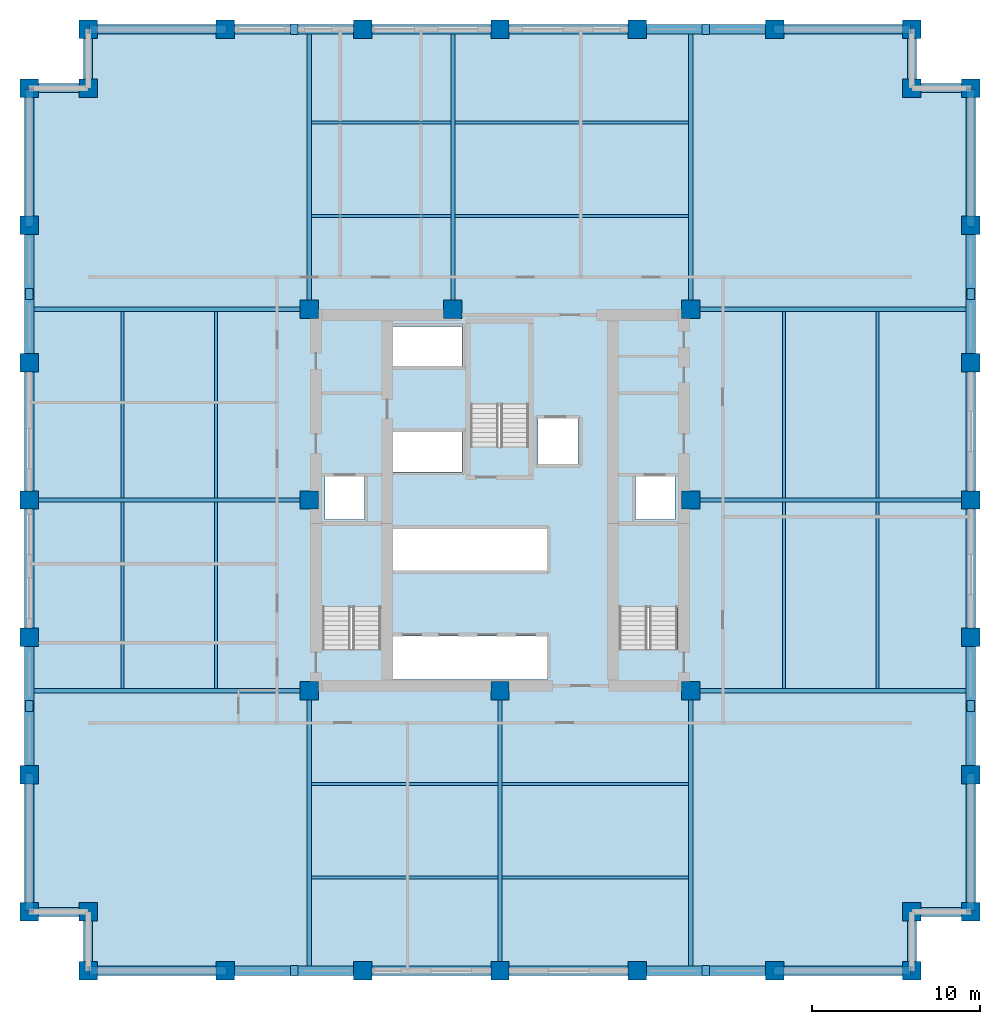
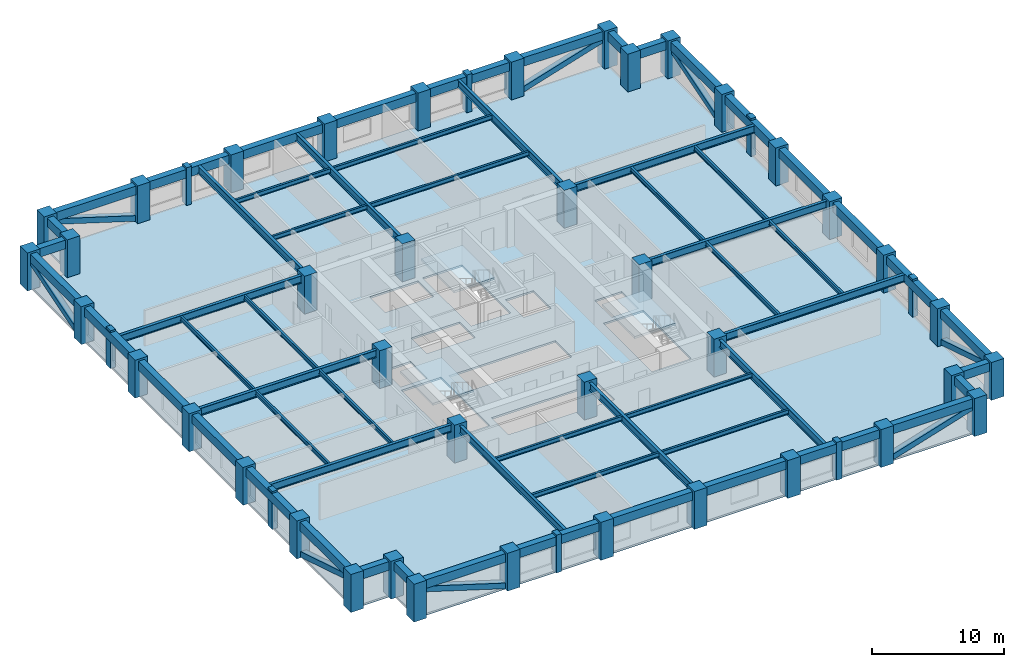
# One storey, part 1 of 6: 60 beams, 40 columns, 16 members, 4 slabs, 3 elements without a shape of their own.
"""IFC4 building model written with IfcOpenShell, lengths in metres."""

from ifc_helpers import new_model, si_unit, direction, frame, origin, origin_2d, place, context, subcontext, project, spatial, polyline, rectangle, hollow_rectangle, i_section, outline, extrude, material, layer, layer_set, material_profile, profile_set, type_object, element, aggregate, save


model = new_model("IFC4")

# Units and contexts
model_context = context("Model", 3, precision=1e-05, world=origin(), true_north=direction((0.0, 1.0)))
body_context = subcontext(model_context, "Body", "Model", "MODEL_VIEW")
ifc_project = project(units=[si_unit("LENGTHUNIT", "METRE"), si_unit("AREAUNIT", "SQUARE_METRE"), si_unit("VOLUMEUNIT", "CUBIC_METRE"), si_unit("PLANEANGLEUNIT", "RADIAN"), si_unit("MASSUNIT", "GRAM", prefix="KILO")], contexts=[model_context])

# Site, building, storey
site_placement = place(None, origin())
site = spatial("IfcSite", under=ifc_project, at=site_placement, CompositionType="ELEMENT")
building_placement = place(site_placement, origin())
building = spatial("IfcBuilding", under=site, at=building_placement, Name="Nhamokura Convention Tower", CompositionType="ELEMENT")
storey_placement = place(building_placement, frame((0.0, 0.0, 82.25)))
storey = spatial("IfcBuildingStorey", under=building, at=storey_placement, Name="L19", CompositionType="ELEMENT", Elevation=82.25)

# Columns
ifc_material_1 = material(Name="Concrete C60/75", Category="concrete")
ifc_material_profile_1 = material_profile(ifc_material_1, rectangle(XDim=1.10009765625, YDim=1.10009765625, at=origin_2d()))
ifc_profile_set_1 = profile_set([ifc_material_profile_1], Name="Concrete C60/75")
column_type = type_object("IfcColumnType", Name="TubeColumn_Z1_1100", PredefinedType="COLUMN", material=ifc_profile_set_1)
for number, where, z_axis, x_axis, name in (
    (1, (20.64990234375, 20.64990234375, 0.0), (0.0, 0.0, 1.0), (1.0, 0.0, 0.0), "L19 Core Column CC-SW"),
    (2, (32.0, 20.64990234375, 0.0), (0.0, 0.0, 1.0), (1.0, 0.0, 0.0), "L19 Core Column CC-S"),
    (3, (43.35009765625, 20.64990234375, 0.0), (0.0, 0.0, 1.0), (1.0, 0.0, 0.0), "L19 Core Column CC-SE"),
    (4, (43.35009765625, 32.0, 0.0), (0.0, 0.0, 1.0), (1.0, 0.0, 0.0), "L19 Core Column CC-E"),
    (5, (43.35009765625, 43.35009765625, 0.0), (0.0, 0.0, 1.0), (1.0, 0.0, 0.0), "L19 Core Column CC-NE"),
    (6, (29.199951171875, 43.35009765625, 0.0), (0.0, 0.0, 1.0), (1.0, 0.0, 0.0), "L19 Core Column CC-N"),
    (7, (20.64990234375, 43.35009765625, 0.0), (0.0, 0.0, 1.0), (1.0, 0.0, 0.0), "L19 Core Column CC-NW"),
    (8, (20.64990234375, 32.0, 0.0), (0.0, 0.0, 1.0), (1.0, 0.0, 0.0), "L19 Core Column CC-W"),
    (9, (7.5, 4.0, 0.0), (0.0, 0.0, 1.0), (1.0, 0.0, 0.0), "L19 Perimeter Tube Column SW1"),
    (10, (7.5, 7.5, 0.0), (0.0, 0.0, 1.0), (1.0, 0.0, 0.0), "L19 Perimeter Tube Column SW0"),
    (11, (4.0, 7.5, 0.0), (0.0, 0.0, 1.0), (1.0, 0.0, 0.0), "L19 Perimeter Tube Column SW2"),
    (12, (56.5, 4.0, 0.0), (0.0, 0.0, 1.0), (1.0, 0.0, 0.0), "L19 Perimeter Tube Column SE1"),
    (13, (56.5, 7.5, 0.0), (0.0, 0.0, 1.0), (1.0, 0.0, 0.0), "L19 Perimeter Tube Column SE0"),
    (14, (60.0, 7.5, 0.0), (0.0, 0.0, 1.0), (1.0, 0.0, 0.0), "L19 Perimeter Tube Column SE2"),
    (15, (60.0, 56.5, 0.0), (0.0, 0.0, 1.0), (1.0, 0.0, 0.0), "L19 Perimeter Tube Column NE1"),
    (16, (56.5, 56.5, 0.0), (0.0, 0.0, 1.0), (1.0, 0.0, 0.0), "L19 Perimeter Tube Column NE0"),
    (17, (56.5, 60.0, 0.0), (0.0, 0.0, 1.0), (1.0, 0.0, 0.0), "L19 Perimeter Tube Column NE2"),
    (18, (7.5, 60.0, 0.0), (0.0, 0.0, 1.0), (1.0, 0.0, 0.0), "L19 Perimeter Tube Column NW1"),
    (19, (7.5, 56.5, 0.0), (0.0, 0.0, 1.0), (1.0, 0.0, 0.0), "L19 Perimeter Tube Column NW0"),
    (20, (4.0, 56.5, 0.0), (0.0, 0.0, 1.0), (1.0, 0.0, 0.0), "L19 Perimeter Tube Column NW2"),
    (21, (15.666748046875, 4.0, 0.0), (0.0, 0.0, 1.0), (1.0, 0.0, 0.0), "L19 Perimeter Tube Column S1"),
    (22, (15.666748046875, 60.0, 0.0), (0.0, 0.0, 1.0), (1.0, 0.0, 0.0), "L19 Perimeter Tube Column N1"),
    (23, (4.0, 15.666748046875, 0.0), (0.0, 0.0, 1.0), (1.0, 0.0, 0.0), "L19 Perimeter Tube Column W1"),
    (24, (60.0, 15.666748046875, 0.0), (0.0, 0.0, 1.0), (1.0, 0.0, 0.0), "L19 Perimeter Tube Column E1"),
    (25, (23.833251953125, 4.0, 0.0), (0.0, 0.0, 1.0), (1.0, 0.0, 0.0), "L19 Perimeter Tube Column S2"),
    (26, (23.833251953125, 60.0, 0.0), (0.0, 0.0, 1.0), (1.0, 0.0, 0.0), "L19 Perimeter Tube Column N2"),
    (27, (4.0, 23.833251953125, 0.0), (0.0, 0.0, 1.0), (1.0, 0.0, 0.0), "L19 Perimeter Tube Column W2"),
    (28, (60.0, 23.833251953125, 0.0), (0.0, 0.0, 1.0), (1.0, 0.0, 0.0), "L19 Perimeter Tube Column E2"),
    (29, (32.0, 4.0, 0.0), (0.0, 0.0, 1.0), (1.0, 0.0, 0.0), "L19 Perimeter Tube Column S3"),
    (30, (32.0, 60.0, 0.0), (0.0, 0.0, 1.0), (1.0, 0.0, 0.0), "L19 Perimeter Tube Column N3"),
    (31, (4.0, 32.0, 0.0), (0.0, 0.0, 1.0), (1.0, 0.0, 0.0), "L19 Perimeter Tube Column W3"),
    (32, (60.0, 32.0, 0.0), (0.0, 0.0, 1.0), (1.0, 0.0, 0.0), "L19 Perimeter Tube Column E3"),
    (33, (40.166748046875, 4.0, 0.0), (0.0, 0.0, 1.0), (1.0, 0.0, 0.0), "L19 Perimeter Tube Column S4"),
    (34, (40.166748046875, 60.0, 0.0), (0.0, 0.0, 1.0), (1.0, 0.0, 0.0), "L19 Perimeter Tube Column N4"),
    (35, (4.0, 40.166748046875, 0.0), (0.0, 0.0, 1.0), (1.0, 0.0, 0.0), "L19 Perimeter Tube Column W4"),
    (36, (60.0, 40.166748046875, 0.0), (0.0, 0.0, 1.0), (1.0, 0.0, 0.0), "L19 Perimeter Tube Column E4"),
    (37, (48.333251953125, 4.0, 0.0), (0.0, 0.0, 1.0), (1.0, 0.0, 0.0), "L19 Perimeter Tube Column S5"),
    (38, (48.333251953125, 60.0, 0.0), (0.0, 0.0, 1.0), (1.0, 0.0, 0.0), "L19 Perimeter Tube Column N5"),
    (39, (4.0, 48.333251953125, 0.0), (0.0, 0.0, 1.0), (1.0, 0.0, 0.0), "L19 Perimeter Tube Column W5"),
    (40, (60.0, 48.333251953125, 0.0), (0.0, 0.0, 1.0), (1.0, 0.0, 0.0), "L19 Perimeter Tube Column E5"),
):
    element("IfcColumn", number, at=place(storey_placement, frame(where, z_axis=z_axis, x_axis=x_axis)), inside=storey, type_object=column_type, Name=name, PredefinedType="COLUMN", context=body_context, shape_type="SweptSolid", body=[
        extrude(rectangle(XDim=1.10009765625, YDim=1.10009765625, at=origin_2d()), origin(), (0.0, 0.0, 1.0), 3.5),
    ])

# Members
ifc_material_2 = material(Name="Bronze-pigmented precast concrete C45/55", Category="concrete")
ifc_material_profile_2 = material_profile(ifc_material_2, rectangle(XDim=0.449951171875, YDim=0.64990234375, at=origin_2d()))
ifc_profile_set_2 = profile_set([ifc_material_profile_2], Name="Bronze-pigmented precast concrete C45/55")
member_type_1 = type_object("IfcMemberType", Name="BronzePilaster_650", PredefinedType="USERDEFINED", material=ifc_profile_set_2)
for number, where, z_axis, x_axis, name in (
    (41, (19.75, 4.0, 0.0), (0.0, 0.0, 1.0), (1.0, 0.0, 0.0), "L19 Engaged Frame Pilaster SOUTH 1"),
    (42, (44.25, 4.0, 0.0), (0.0, 0.0, 1.0), (1.0, 0.0, 0.0), "L19 Engaged Frame Pilaster SOUTH 4"),
    (43, (19.75, 60.0, 0.0), (0.0, 0.0, 1.0), (1.0, 0.0, 0.0), "L19 Engaged Frame Pilaster NORTH 1"),
    (44, (44.25, 60.0, 0.0), (0.0, 0.0, 1.0), (1.0, 0.0, 0.0), "L19 Engaged Frame Pilaster NORTH 4"),
    (45, (4.0, 19.75, 0.0), (0.0, 0.0, 1.0), (1.0, 0.0, 0.0), "L19 Engaged Frame Pilaster WEST 1"),
    (46, (4.0, 44.25, 0.0), (0.0, 0.0, 1.0), (1.0, 0.0, 0.0), "L19 Engaged Frame Pilaster WEST 4"),
    (47, (60.0, 19.75, 0.0), (0.0, 0.0, 1.0), (1.0, 0.0, 0.0), "L19 Engaged Frame Pilaster EAST 1"),
    (48, (60.0, 44.25, 0.0), (0.0, 0.0, 1.0), (1.0, 0.0, 0.0), "L19 Engaged Frame Pilaster EAST 4"),
):
    element("IfcMember", number, at=place(storey_placement, frame(where, z_axis=z_axis, x_axis=x_axis)), inside=storey, type_object=member_type_1, Name=name, ObjectType="PILASTER_TRIM", PredefinedType="USERDEFINED", context=body_context, shape_type="SweptSolid", body=[
        extrude(rectangle(XDim=0.449951171875, YDim=0.64990234375, at=origin_2d()), origin(), (0.0, 0.0, 1.0), 3.5),
    ])

# Beams
ifc_material_3 = material(Name="Steel ASTM A992 Gr 50", Category="steel")
ifc_material_profile_3 = material_profile(ifc_material_3, i_section(OverallWidth=0.178955078125, OverallDepth=0.409912109375, WebThickness=0.0087890625, FlangeThickness=0.014404296875, at=origin_2d()))
ifc_profile_set_3 = profile_set([ifc_material_profile_3], Name="Steel ASTM A992 Gr 50")
beam_type_1 = type_object("IfcBeamType", Name="FloorJoist_W410X67", PredefinedType="JOIST", material=ifc_profile_set_3)
for number, where, z_axis, x_axis, name in (
    (49, (20.77587890625, 9.550048828125, 3.114990234375), (1.0, 0.0, 0.0), (0.0, 1.0, 0.0), "L19 Composite Floor Joist S1A"),
    (50, (32.1259765625, 9.550048828125, 3.114990234375), (1.0, 0.0, 0.0), (0.0, 1.0, 0.0), "L19 Composite Floor Joist S1B"),
    (51, (20.77587890625, 15.10009765625, 3.114990234375), (1.0, 0.0, 0.0), (0.0, 1.0, 0.0), "L19 Composite Floor Joist S2A"),
    (52, (32.1259765625, 15.10009765625, 3.114990234375), (1.0, 0.0, 0.0), (0.0, 1.0, 0.0), "L19 Composite Floor Joist S2B"),
):
    element("IfcBeam", number, at=place(storey_placement, frame(where, z_axis=z_axis, x_axis=x_axis)), inside=storey, type_object=beam_type_1, Name=name, PredefinedType="JOIST", context=body_context, shape_type="SweptSolid", body=[
        extrude(i_section(OverallWidth=0.178955078125, OverallDepth=0.409912109375, WebThickness=0.0087890625, FlangeThickness=0.014404296875, at=origin_2d()), origin(), (0.0, 0.0, 1.0), 11.09814453125),
    ])
beam_1_placement = place(storey_placement, frame((20.77587890625, 48.89990234375, 3.114990234375), z_axis=(1.0, 0.0, 0.0), x_axis=(0.0, 1.0, 0.0)))
element("IfcBeam", 53, at=beam_1_placement, inside=storey, type_object=beam_type_1, Name="L19 Composite Floor Joist N1A", PredefinedType="JOIST", context=body_context, shape_type="SweptSolid", body=[
    extrude(i_section(OverallWidth=0.178955078125, OverallDepth=0.409912109375, WebThickness=0.0087890625, FlangeThickness=0.014404296875, at=origin_2d()), origin(), (0.0, 0.0, 1.0), 8.298095703125),
])
beam_2_placement = place(storey_placement, frame((29.325927734375, 48.89990234375, 3.114990234375), z_axis=(1.0, 0.0, 0.0), x_axis=(0.0, 1.0, 0.0)))
element("IfcBeam", 54, at=beam_2_placement, inside=storey, type_object=beam_type_1, Name="L19 Composite Floor Joist N1B", PredefinedType="JOIST", context=body_context, shape_type="SweptSolid", body=[
    extrude(i_section(OverallWidth=0.178955078125, OverallDepth=0.409912109375, WebThickness=0.0087890625, FlangeThickness=0.014404296875, at=origin_2d()), origin(), (0.0, 0.0, 1.0), 13.898193359375),
])
beam_3_placement = place(storey_placement, frame((20.77587890625, 54.449951171875, 3.114990234375), z_axis=(1.0, 0.0, 0.0), x_axis=(0.0, 1.0, 0.0)))
element("IfcBeam", 55, at=beam_3_placement, inside=storey, type_object=beam_type_1, Name="L19 Composite Floor Joist N2A", PredefinedType="JOIST", context=body_context, shape_type="SweptSolid", body=[
    extrude(i_section(OverallWidth=0.178955078125, OverallDepth=0.409912109375, WebThickness=0.0087890625, FlangeThickness=0.014404296875, at=origin_2d()), origin(), (0.0, 0.0, 1.0), 8.298095703125),
])
beam_4_placement = place(storey_placement, frame((29.325927734375, 54.449951171875, 3.114990234375), z_axis=(1.0, 0.0, 0.0), x_axis=(0.0, 1.0, 0.0)))
element("IfcBeam", 56, at=beam_4_placement, inside=storey, type_object=beam_type_1, Name="L19 Composite Floor Joist N2B", PredefinedType="JOIST", context=body_context, shape_type="SweptSolid", body=[
    extrude(i_section(OverallWidth=0.178955078125, OverallDepth=0.409912109375, WebThickness=0.0087890625, FlangeThickness=0.014404296875, at=origin_2d()), origin(), (0.0, 0.0, 1.0), 13.898193359375),
])
for number, where, z_axis, x_axis, name in (
    (57, (9.550048828125, 20.77587890625, 3.114990234375), (0.0, 1.0, 0.0), (-1.0, 0.0, 0.0), "L19 Composite Floor Joist W1A"),
    (58, (9.550048828125, 32.1259765625, 3.114990234375), (0.0, 1.0, 0.0), (-1.0, 0.0, 0.0), "L19 Composite Floor Joist W1B"),
    (59, (15.10009765625, 20.77587890625, 3.114990234375), (0.0, 1.0, 0.0), (-1.0, 0.0, 0.0), "L19 Composite Floor Joist W2A"),
    (60, (15.10009765625, 32.1259765625, 3.114990234375), (0.0, 1.0, 0.0), (-1.0, 0.0, 0.0), "L19 Composite Floor Joist W2B"),
    (61, (48.89990234375, 20.77587890625, 3.114990234375), (0.0, 1.0, 0.0), (-1.0, 0.0, 0.0), "L19 Composite Floor Joist E1A"),
    (62, (48.89990234375, 32.1259765625, 3.114990234375), (0.0, 1.0, 0.0), (-1.0, 0.0, 0.0), "L19 Composite Floor Joist E1B"),
    (63, (54.449951171875, 20.77587890625, 3.114990234375), (0.0, 1.0, 0.0), (-1.0, 0.0, 0.0), "L19 Composite Floor Joist E2A"),
    (64, (54.449951171875, 32.1259765625, 3.114990234375), (0.0, 1.0, 0.0), (-1.0, 0.0, 0.0), "L19 Composite Floor Joist E2B"),
):
    element("IfcBeam", number, at=place(storey_placement, frame(where, z_axis=z_axis, x_axis=x_axis)), inside=storey, type_object=beam_type_1, Name=name, PredefinedType="JOIST", context=body_context, shape_type="SweptSolid", body=[
        extrude(i_section(OverallWidth=0.178955078125, OverallDepth=0.409912109375, WebThickness=0.0087890625, FlangeThickness=0.014404296875, at=origin_2d()), origin(), (0.0, 0.0, 1.0), 11.09814453125),
    ])
ifc_material_4 = material(Name="Steel ASTM A992 Gr 50", Category="steel")
ifc_material_profile_4 = material_profile(ifc_material_4, i_section(OverallWidth=0.256103515625, OverallDepth=0.693115234375, WebThickness=0.014404296875, FlangeThickness=0.023681640625, at=origin_2d()))
ifc_profile_set_4 = profile_set([ifc_material_profile_4], Name="Steel ASTM A992 Gr 50")
beam_type_2 = type_object("IfcBeamType", Name="PrimaryGirder_W690X170", PredefinedType="BEAM", material=ifc_profile_set_4)
for number, where, z_axis, x_axis, name in (
    (65, (20.64990234375, 4.0, 2.973388671875), (0.0, 1.0, 0.0), (-1.0, 0.0, 0.0), "L19 Primary Floor Girder PG-S1"),
    (66, (32.0, 4.0, 2.973388671875), (0.0, 1.0, 0.0), (-1.0, 0.0, 0.0), "L19 Primary Floor Girder PG-S2"),
    (67, (43.35009765625, 4.0, 2.973388671875), (0.0, 1.0, 0.0), (-1.0, 0.0, 0.0), "L19 Primary Floor Girder PG-S3"),
    (68, (20.64990234375, 43.35009765625, 2.973388671875), (0.0, 1.0, 0.0), (-1.0, 0.0, 0.0), "L19 Primary Floor Girder PG-N1"),
    (69, (29.199951171875, 43.35009765625, 2.973388671875), (0.0, 1.0, 0.0), (-1.0, 0.0, 0.0), "L19 Primary Floor Girder PG-N2"),
    (70, (43.35009765625, 43.35009765625, 2.973388671875), (0.0, 1.0, 0.0), (-1.0, 0.0, 0.0), "L19 Primary Floor Girder PG-N3"),
    (71, (4.0, 20.64990234375, 2.973388671875), (1.0, 0.0, 0.0), (0.0, 1.0, 0.0), "L19 Primary Floor Girder PG-W1"),
    (72, (4.0, 32.0, 2.973388671875), (1.0, 0.0, 0.0), (0.0, 1.0, 0.0), "L19 Primary Floor Girder PG-W2"),
    (73, (4.0, 43.35009765625, 2.973388671875), (1.0, 0.0, 0.0), (0.0, 1.0, 0.0), "L19 Primary Floor Girder PG-W3"),
    (74, (43.35009765625, 20.64990234375, 2.973388671875), (1.0, 0.0, 0.0), (0.0, 1.0, 0.0), "L19 Primary Floor Girder PG-E1"),
    (75, (43.35009765625, 32.0, 2.973388671875), (1.0, 0.0, 0.0), (0.0, 1.0, 0.0), "L19 Primary Floor Girder PG-E2"),
    (76, (43.35009765625, 43.35009765625, 2.973388671875), (1.0, 0.0, 0.0), (0.0, 1.0, 0.0), "L19 Primary Floor Girder PG-E3"),
):
    element("IfcBeam", number, at=place(storey_placement, frame(where, z_axis=z_axis, x_axis=x_axis)), inside=storey, type_object=beam_type_2, Name=name, PredefinedType="BEAM", context=body_context, shape_type="SweptSolid", body=[
        extrude(i_section(OverallWidth=0.256103515625, OverallDepth=0.693115234375, WebThickness=0.014404296875, FlangeThickness=0.023681640625, at=origin_2d()), origin(), (0.0, 0.0, 1.0), 16.64990234375),
    ])

# Members
ifc_material_5 = material(Name="Steel ASTM A572 Gr 50", Category="steel")
ifc_material_profile_5 = material_profile(ifc_material_5, hollow_rectangle(XDim=0.5, YDim=0.5, WallThickness=0.02490234375, at=origin_2d()))
ifc_profile_set_5 = profile_set([ifc_material_profile_5], Name="Steel ASTM A572 Gr 50")
member_type_2 = type_object("IfcMemberType", Name="TubeBrace_HSS500", PredefinedType="BRACE", material=ifc_profile_set_5)
for number, where, z_axis, x_axis, name in (
    (77, (15.666748046875, 4.0, 0.14990234375), (-0.955542765986, 0.0, 0.294852543437), (0.0, -1.0, 0.0), "L19 Perimeter Tube Brace SOUTH Bay 0"),
    (78, (48.333251953125, 4.0, 0.14990234375), (0.955542765986, 0.0, 0.294852543437), (0.0, 1.0, 0.0), "L19 Perimeter Tube Brace SOUTH Bay 5"),
    (79, (15.666748046875, 60.0, 0.14990234375), (-0.955542765986, 0.0, 0.294852543437), (0.0, -1.0, 0.0), "L19 Perimeter Tube Brace NORTH Bay 0"),
    (80, (48.333251953125, 60.0, 0.14990234375), (0.955542765986, 0.0, 0.294852543437), (0.0, 1.0, 0.0), "L19 Perimeter Tube Brace NORTH Bay 5"),
    (81, (4.0, 15.666748046875, 0.14990234375), (0.0, -0.955542765986, 0.294852543437), (1.0, 0.0, 0.0), "L19 Perimeter Tube Brace WEST Bay 0"),
    (82, (4.0, 48.333251953125, 0.14990234375), (0.0, 0.955542765986, 0.294852543437), (-1.0, 0.0, 0.0), "L19 Perimeter Tube Brace WEST Bay 5"),
    (83, (60.0, 15.666748046875, 0.14990234375), (0.0, -0.955542765986, 0.294852543437), (1.0, 0.0, 0.0), "L19 Perimeter Tube Brace EAST Bay 0"),
    (84, (60.0, 48.333251953125, 0.14990234375), (0.0, 0.955542765986, 0.294852543437), (-1.0, 0.0, 0.0), "L19 Perimeter Tube Brace EAST Bay 5"),
):
    element("IfcMember", number, at=place(storey_placement, frame(where, z_axis=z_axis, x_axis=x_axis)), inside=storey, type_object=member_type_2, Name=name, PredefinedType="BRACE", context=body_context, shape_type="SweptSolid", body=[
        extrude(hollow_rectangle(XDim=0.5, YDim=0.5, WallThickness=0.02490234375, at=origin_2d()), origin(), (0.0, 0.0, 1.0), 8.546630859375),
    ])

# Beams
ifc_material_6 = material(Name="Concrete C50/60", Category="concrete")
ifc_material_profile_6 = material_profile(ifc_material_6, rectangle(XDim=0.550048828125, YDim=0.800048828125, at=origin_2d()))
ifc_profile_set_6 = profile_set([ifc_material_profile_6], Name="Concrete C50/60")
beam_type_3 = type_object("IfcBeamType", Name="TubeSpandrel_800", PredefinedType="SPANDREL", material=ifc_profile_set_6)
beam_5_placement = place(storey_placement, frame((7.5, 4.0, 2.919921875), z_axis=(1.0, 0.0, 0.0), x_axis=(0.0, 1.0, 0.0)))
element("IfcBeam", 85, at=beam_5_placement, inside=storey, type_object=beam_type_3, Name="L19 Perimeter Spandrel SOUTH 1", PredefinedType="SPANDREL", context=body_context, shape_type="SweptSolid", body=[
    extrude(rectangle(XDim=0.550048828125, YDim=0.800048828125, at=origin_2d()), origin(), (0.0, 0.0, 1.0), 8.166748046875),
])
beam_6_placement = place(storey_placement, frame((15.666748046875, 4.0, 2.919921875), z_axis=(1.0, 0.0, 0.0), x_axis=(0.0, 1.0, 0.0)))
element("IfcBeam", 86, at=beam_6_placement, inside=storey, type_object=beam_type_3, Name="L19 Perimeter Spandrel SOUTH 2", PredefinedType="SPANDREL", context=body_context, shape_type="SweptSolid", body=[
    extrude(rectangle(XDim=0.550048828125, YDim=0.800048828125, at=origin_2d()), origin(), (0.0, 0.0, 1.0), 8.16650390625),
])
for number, where, z_axis, x_axis, name in (
    (87, (23.833251953125, 4.0, 2.919921875), (1.0, 0.0, 0.0), (0.0, 1.0, 0.0), "L19 Perimeter Spandrel SOUTH 3"),
    (88, (32.0, 4.0, 2.919921875), (1.0, 0.0, 0.0), (0.0, 1.0, 0.0), "L19 Perimeter Spandrel SOUTH 4"),
):
    element("IfcBeam", number, at=place(storey_placement, frame(where, z_axis=z_axis, x_axis=x_axis)), inside=storey, type_object=beam_type_3, Name=name, PredefinedType="SPANDREL", context=body_context, shape_type="SweptSolid", body=[
        extrude(rectangle(XDim=0.550048828125, YDim=0.800048828125, at=origin_2d()), origin(), (0.0, 0.0, 1.0), 8.166748046875),
    ])
beam_7_placement = place(storey_placement, frame((40.166748046875, 4.0, 2.919921875), z_axis=(1.0, 0.0, 0.0), x_axis=(0.0, 1.0, 0.0)))
element("IfcBeam", 89, at=beam_7_placement, inside=storey, type_object=beam_type_3, Name="L19 Perimeter Spandrel SOUTH 5", PredefinedType="SPANDREL", context=body_context, shape_type="SweptSolid", body=[
    extrude(rectangle(XDim=0.550048828125, YDim=0.800048828125, at=origin_2d()), origin(), (0.0, 0.0, 1.0), 8.16650390625),
])
for number, where, z_axis, x_axis, name in (
    (90, (48.333251953125, 4.0, 2.919921875), (1.0, 0.0, 0.0), (0.0, 1.0, 0.0), "L19 Perimeter Spandrel SOUTH 6"),
    (91, (7.5, 60.0, 2.919921875), (1.0, 0.0, 0.0), (0.0, 1.0, 0.0), "L19 Perimeter Spandrel NORTH 1"),
):
    element("IfcBeam", number, at=place(storey_placement, frame(where, z_axis=z_axis, x_axis=x_axis)), inside=storey, type_object=beam_type_3, Name=name, PredefinedType="SPANDREL", context=body_context, shape_type="SweptSolid", body=[
        extrude(rectangle(XDim=0.550048828125, YDim=0.800048828125, at=origin_2d()), origin(), (0.0, 0.0, 1.0), 8.166748046875),
    ])
beam_8_placement = place(storey_placement, frame((15.666748046875, 60.0, 2.919921875), z_axis=(1.0, 0.0, 0.0), x_axis=(0.0, 1.0, 0.0)))
element("IfcBeam", 92, at=beam_8_placement, inside=storey, type_object=beam_type_3, Name="L19 Perimeter Spandrel NORTH 2", PredefinedType="SPANDREL", context=body_context, shape_type="SweptSolid", body=[
    extrude(rectangle(XDim=0.550048828125, YDim=0.800048828125, at=origin_2d()), origin(), (0.0, 0.0, 1.0), 8.16650390625),
])
for number, where, z_axis, x_axis, name in (
    (93, (23.833251953125, 60.0, 2.919921875), (1.0, 0.0, 0.0), (0.0, 1.0, 0.0), "L19 Perimeter Spandrel NORTH 3"),
    (94, (32.0, 60.0, 2.919921875), (1.0, 0.0, 0.0), (0.0, 1.0, 0.0), "L19 Perimeter Spandrel NORTH 4"),
):
    element("IfcBeam", number, at=place(storey_placement, frame(where, z_axis=z_axis, x_axis=x_axis)), inside=storey, type_object=beam_type_3, Name=name, PredefinedType="SPANDREL", context=body_context, shape_type="SweptSolid", body=[
        extrude(rectangle(XDim=0.550048828125, YDim=0.800048828125, at=origin_2d()), origin(), (0.0, 0.0, 1.0), 8.166748046875),
    ])
beam_9_placement = place(storey_placement, frame((40.166748046875, 60.0, 2.919921875), z_axis=(1.0, 0.0, 0.0), x_axis=(0.0, 1.0, 0.0)))
element("IfcBeam", 95, at=beam_9_placement, inside=storey, type_object=beam_type_3, Name="L19 Perimeter Spandrel NORTH 5", PredefinedType="SPANDREL", context=body_context, shape_type="SweptSolid", body=[
    extrude(rectangle(XDim=0.550048828125, YDim=0.800048828125, at=origin_2d()), origin(), (0.0, 0.0, 1.0), 8.16650390625),
])
for number, where, z_axis, x_axis, name in (
    (96, (48.333251953125, 60.0, 2.919921875), (1.0, 0.0, 0.0), (0.0, 1.0, 0.0), "L19 Perimeter Spandrel NORTH 6"),
    (97, (4.0, 7.5, 2.919921875), (0.0, 1.0, 0.0), (-1.0, 0.0, 0.0), "L19 Perimeter Spandrel WEST 1"),
):
    element("IfcBeam", number, at=place(storey_placement, frame(where, z_axis=z_axis, x_axis=x_axis)), inside=storey, type_object=beam_type_3, Name=name, PredefinedType="SPANDREL", context=body_context, shape_type="SweptSolid", body=[
        extrude(rectangle(XDim=0.550048828125, YDim=0.800048828125, at=origin_2d()), origin(), (0.0, 0.0, 1.0), 8.166748046875),
    ])
beam_10_placement = place(storey_placement, frame((4.0, 15.666748046875, 2.919921875), z_axis=(0.0, 1.0, 0.0), x_axis=(-1.0, 0.0, 0.0)))
element("IfcBeam", 98, at=beam_10_placement, inside=storey, type_object=beam_type_3, Name="L19 Perimeter Spandrel WEST 2", PredefinedType="SPANDREL", context=body_context, shape_type="SweptSolid", body=[
    extrude(rectangle(XDim=0.550048828125, YDim=0.800048828125, at=origin_2d()), origin(), (0.0, 0.0, 1.0), 8.16650390625),
])
for number, where, z_axis, x_axis, name in (
    (99, (4.0, 23.833251953125, 2.919921875), (0.0, 1.0, 0.0), (-1.0, 0.0, 0.0), "L19 Perimeter Spandrel WEST 3"),
    (100, (4.0, 32.0, 2.919921875), (0.0, 1.0, 0.0), (-1.0, 0.0, 0.0), "L19 Perimeter Spandrel WEST 4"),
):
    element("IfcBeam", number, at=place(storey_placement, frame(where, z_axis=z_axis, x_axis=x_axis)), inside=storey, type_object=beam_type_3, Name=name, PredefinedType="SPANDREL", context=body_context, shape_type="SweptSolid", body=[
        extrude(rectangle(XDim=0.550048828125, YDim=0.800048828125, at=origin_2d()), origin(), (0.0, 0.0, 1.0), 8.166748046875),
    ])
beam_11_placement = place(storey_placement, frame((4.0, 40.166748046875, 2.919921875), z_axis=(0.0, 1.0, 0.0), x_axis=(-1.0, 0.0, 0.0)))
element("IfcBeam", 101, at=beam_11_placement, inside=storey, type_object=beam_type_3, Name="L19 Perimeter Spandrel WEST 5", PredefinedType="SPANDREL", context=body_context, shape_type="SweptSolid", body=[
    extrude(rectangle(XDim=0.550048828125, YDim=0.800048828125, at=origin_2d()), origin(), (0.0, 0.0, 1.0), 8.16650390625),
])
for number, where, z_axis, x_axis, name in (
    (102, (4.0, 48.333251953125, 2.919921875), (0.0, 1.0, 0.0), (-1.0, 0.0, 0.0), "L19 Perimeter Spandrel WEST 6"),
    (103, (60.0, 7.5, 2.919921875), (0.0, 1.0, 0.0), (-1.0, 0.0, 0.0), "L19 Perimeter Spandrel EAST 1"),
):
    element("IfcBeam", number, at=place(storey_placement, frame(where, z_axis=z_axis, x_axis=x_axis)), inside=storey, type_object=beam_type_3, Name=name, PredefinedType="SPANDREL", context=body_context, shape_type="SweptSolid", body=[
        extrude(rectangle(XDim=0.550048828125, YDim=0.800048828125, at=origin_2d()), origin(), (0.0, 0.0, 1.0), 8.166748046875),
    ])
beam_12_placement = place(storey_placement, frame((60.0, 15.666748046875, 2.919921875), z_axis=(0.0, 1.0, 0.0), x_axis=(-1.0, 0.0, 0.0)))
element("IfcBeam", 104, at=beam_12_placement, inside=storey, type_object=beam_type_3, Name="L19 Perimeter Spandrel EAST 2", PredefinedType="SPANDREL", context=body_context, shape_type="SweptSolid", body=[
    extrude(rectangle(XDim=0.550048828125, YDim=0.800048828125, at=origin_2d()), origin(), (0.0, 0.0, 1.0), 8.16650390625),
])
for number, where, z_axis, x_axis, name in (
    (105, (60.0, 23.833251953125, 2.919921875), (0.0, 1.0, 0.0), (-1.0, 0.0, 0.0), "L19 Perimeter Spandrel EAST 3"),
    (106, (60.0, 32.0, 2.919921875), (0.0, 1.0, 0.0), (-1.0, 0.0, 0.0), "L19 Perimeter Spandrel EAST 4"),
):
    element("IfcBeam", number, at=place(storey_placement, frame(where, z_axis=z_axis, x_axis=x_axis)), inside=storey, type_object=beam_type_3, Name=name, PredefinedType="SPANDREL", context=body_context, shape_type="SweptSolid", body=[
        extrude(rectangle(XDim=0.550048828125, YDim=0.800048828125, at=origin_2d()), origin(), (0.0, 0.0, 1.0), 8.166748046875),
    ])
beam_13_placement = place(storey_placement, frame((60.0, 40.166748046875, 2.919921875), z_axis=(0.0, 1.0, 0.0), x_axis=(-1.0, 0.0, 0.0)))
element("IfcBeam", 107, at=beam_13_placement, inside=storey, type_object=beam_type_3, Name="L19 Perimeter Spandrel EAST 5", PredefinedType="SPANDREL", context=body_context, shape_type="SweptSolid", body=[
    extrude(rectangle(XDim=0.550048828125, YDim=0.800048828125, at=origin_2d()), origin(), (0.0, 0.0, 1.0), 8.16650390625),
])
beam_14_placement = place(storey_placement, frame((60.0, 48.333251953125, 2.919921875), z_axis=(0.0, 1.0, 0.0), x_axis=(-1.0, 0.0, 0.0)))
element("IfcBeam", 108, at=beam_14_placement, inside=storey, type_object=beam_type_3, Name="L19 Perimeter Spandrel EAST 6", PredefinedType="SPANDREL", context=body_context, shape_type="SweptSolid", body=[
    extrude(rectangle(XDim=0.550048828125, YDim=0.800048828125, at=origin_2d()), origin(), (0.0, 0.0, 1.0), 8.166748046875),
])
for number, where, z_axis, x_axis, name in (
    (109, (7.5, 4.0, 2.919921875), (0.0, 1.0, 0.0), (-1.0, 0.0, 0.0), "L19 Notch Spandrel SW1"),
    (110, (7.5, 7.5, 2.919921875), (-1.0, 0.0, 0.0), (0.0, -1.0, 0.0), "L19 Notch Spandrel SW2"),
    (111, (56.5, 4.0, 2.919921875), (0.0, 1.0, 0.0), (-1.0, 0.0, 0.0), "L19 Notch Spandrel SE1"),
    (112, (56.5, 7.5, 2.919921875), (1.0, 0.0, 0.0), (0.0, 1.0, 0.0), "L19 Notch Spandrel SE2"),
    (113, (60.0, 56.5, 2.919921875), (-1.0, 0.0, 0.0), (0.0, -1.0, 0.0), "L19 Notch Spandrel NE1"),
    (114, (56.5, 56.5, 2.919921875), (0.0, 1.0, 0.0), (-1.0, 0.0, 0.0), "L19 Notch Spandrel NE2"),
    (115, (7.5, 60.0, 2.919921875), (0.0, -1.0, 0.0), (1.0, 0.0, 0.0), "L19 Notch Spandrel NW1"),
    (116, (7.5, 56.5, 2.919921875), (-1.0, 0.0, 0.0), (0.0, -1.0, 0.0), "L19 Notch Spandrel NW2"),
):
    element("IfcBeam", number, at=place(storey_placement, frame(where, z_axis=z_axis, x_axis=x_axis)), inside=storey, type_object=beam_type_3, Name=name, PredefinedType="SPANDREL", context=body_context, shape_type="SweptSolid", body=[
        extrude(rectangle(XDim=0.550048828125, YDim=0.800048828125, at=origin_2d()), origin(), (0.0, 0.0, 1.0), 3.5),
    ])

# Slab
ifc_material_7 = material(Name="Concrete C40/50", Category="concrete")
ifc_layer_1 = layer(ifc_material_7, 0.179931640625)
ifc_layer_set_1 = layer_set([ifc_layer_1], Name="HotelFloorSlab_180")
slab_type_1 = type_object("IfcSlabType", Name="HotelFloorSlab_180", PredefinedType="FLOOR", material=ifc_layer_set_1)
slab_1_placement = place(storey_placement, frame((0.0, 0.0, -0.179931640625)))
element("IfcSlab", 117, at=slab_1_placement, inside=storey, type_object=slab_type_1, Name="L19 Structural Floor Slab", PredefinedType="FLOOR", context=body_context, shape_type="SweptSolid", body=[
    extrude(outline(polyline([(7.5, 4.0), (56.5, 4.0), (56.5, 7.5), (60.0, 7.5), (60.0, 56.5), (56.5, 56.5), (56.5, 60.0), (7.5, 60.0), (7.5, 56.5), (4.0, 56.5), (4.0, 7.5), (7.5, 7.5), (7.5, 4.0)]), holes=[polyline([(24.89990234375, 23.10009765625), (24.89990234375, 30.449951171875), (21.449951171875, 30.449951171875), (21.449951171875, 23.10009765625), (24.89990234375, 23.10009765625)]), polyline([(42.550048828125, 23.10009765625), (42.550048828125, 30.449951171875), (39.10009765625, 30.449951171875), (39.10009765625, 23.10009765625), (42.550048828125, 23.10009765625)]), polyline([(33.699951171875, 35.14990234375), (33.699951171875, 42.5), (30.25, 42.5), (30.25, 35.14990234375), (33.699951171875, 35.14990234375)]), polyline([(21.60009765625, 30.85009765625), (23.949951171875, 30.85009765625), (23.949951171875, 33.39990234375), (21.60009765625, 33.39990234375), (21.60009765625, 30.85009765625)]), polyline([(40.050048828125, 30.85009765625), (42.39990234375, 30.85009765625), (42.39990234375, 33.39990234375), (40.050048828125, 33.39990234375), (40.050048828125, 30.85009765625)]), polyline([(34.25, 34.14990234375), (36.64990234375, 34.14990234375), (36.64990234375, 36.85009765625), (34.25, 36.85009765625), (34.25, 34.14990234375)]), polyline([(25.52001953125, 21.320068359375), (34.800048828125, 21.320068359375), (34.800048828125, 23.89990234375), (25.52001953125, 23.89990234375), (25.52001953125, 21.320068359375)]), polyline([(25.52001953125, 27.800048828125), (34.800048828125, 27.800048828125), (34.800048828125, 30.300048828125), (25.52001953125, 30.300048828125), (25.52001953125, 27.800048828125)]), polyline([(25.52001953125, 33.679931640625), (29.75, 33.679931640625), (29.75, 36.050048828125), (25.52001953125, 36.050048828125), (25.52001953125, 33.679931640625)]), polyline([(25.52001953125, 39.949951171875), (29.75, 39.949951171875), (29.75, 42.320068359375), (25.52001953125, 42.320068359375), (25.52001953125, 39.949951171875)])]), origin(), (0.0, 0.0, 1.0), 0.179931640625),
])

# Stair, slab
ifc_material_8 = material(Name="Concrete C40/50", Category="concrete")
stair_type = type_object("IfcStairType", Name="TowerCoreStair_1650", PredefinedType="HALF_TURN_STAIR", material=ifc_material_8)
stair_1_placement = place(storey_placement, origin())
stair_1 = element("IfcStair", 118, at=stair_1_placement, inside=storey, type_object=stair_type, Name="L19 West Core Smokeproof Stair ST-01", PredefinedType="HALF_TURN_STAIR")
ifc_material_9 = material(Name="Concrete C40/50", Category="concrete")
ifc_layer_2 = layer(ifc_material_9, 0.199951171875)
ifc_layer_set_2 = layer_set([ifc_layer_2], Name="StairLandingSlab_200")
slab_type_2 = type_object("IfcSlabType", Name="StairLandingSlab_200", PredefinedType="LANDING", material=ifc_layer_set_2)
slab_2_placement = place(storey_placement, frame((0.0, 0.0, 1.550048828125)))
slab_2 = element("IfcSlab", 119, at=slab_2_placement, type_object=slab_type_2, Name="ST-01 landing 1", PredefinedType="LANDING", context=body_context, shape_type="SweptSolid", body=[
    extrude(outline(polyline([(24.97998046875, 25.5849609375), (24.97998046875, 30.530029296875), (21.3701171875, 30.530029296875), (21.3701171875, 25.5849609375), (24.97998046875, 25.5849609375)])), origin(), (0.0, 0.0, 1.0), 0.199951171875),
])
aggregate(stair_1, [slab_2])

stair_2_placement = place(storey_placement, origin())
stair_2 = element("IfcStair", 120, at=stair_2_placement, inside=storey, type_object=stair_type, Name="L19 East Core Smokeproof Stair ST-02", PredefinedType="HALF_TURN_STAIR")
slab_3_placement = place(storey_placement, frame((0.0, 0.0, 1.550048828125)))
slab_3 = element("IfcSlab", 121, at=slab_3_placement, type_object=slab_type_2, Name="ST-02 landing 1", PredefinedType="LANDING", context=body_context, shape_type="SweptSolid", body=[
    extrude(outline(polyline([(42.6298828125, 25.5849609375), (42.6298828125, 30.530029296875), (39.02001953125, 30.530029296875), (39.02001953125, 25.5849609375), (42.6298828125, 25.5849609375)])), origin(), (0.0, 0.0, 1.0), 0.199951171875),
])
aggregate(stair_2, [slab_3])

stair_3_placement = place(storey_placement, origin())
stair_3 = element("IfcStair", 122, at=stair_3_placement, inside=storey, type_object=stair_type, Name="L19 North Core Smokeproof Stair ST-03", PredefinedType="HALF_TURN_STAIR")
slab_4_placement = place(storey_placement, frame((0.0, 0.0, 1.550048828125)))
slab_4 = element("IfcSlab", 123, at=slab_4_placement, type_object=slab_type_2, Name="ST-03 landing 1", PredefinedType="LANDING", context=body_context, shape_type="SweptSolid", body=[
    extrude(outline(polyline([(33.780029296875, 37.635009765625), (33.780029296875, 42.580078125), (30.169921875, 42.580078125), (30.169921875, 37.635009765625), (33.780029296875, 37.635009765625)])), origin(), (0.0, 0.0, 1.0), 0.199951171875),
])
aggregate(stair_3, [slab_4])

save(model, "model.ifc")
